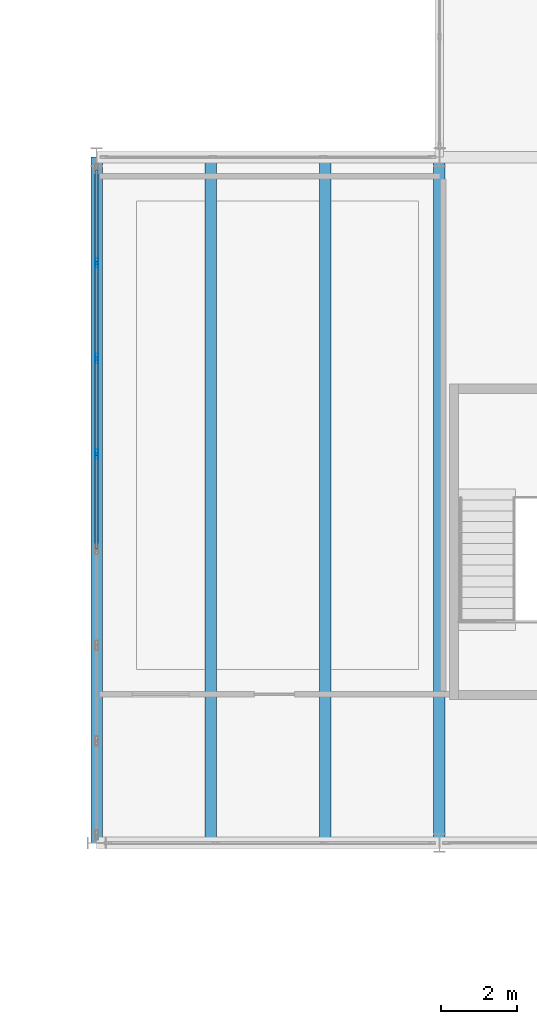
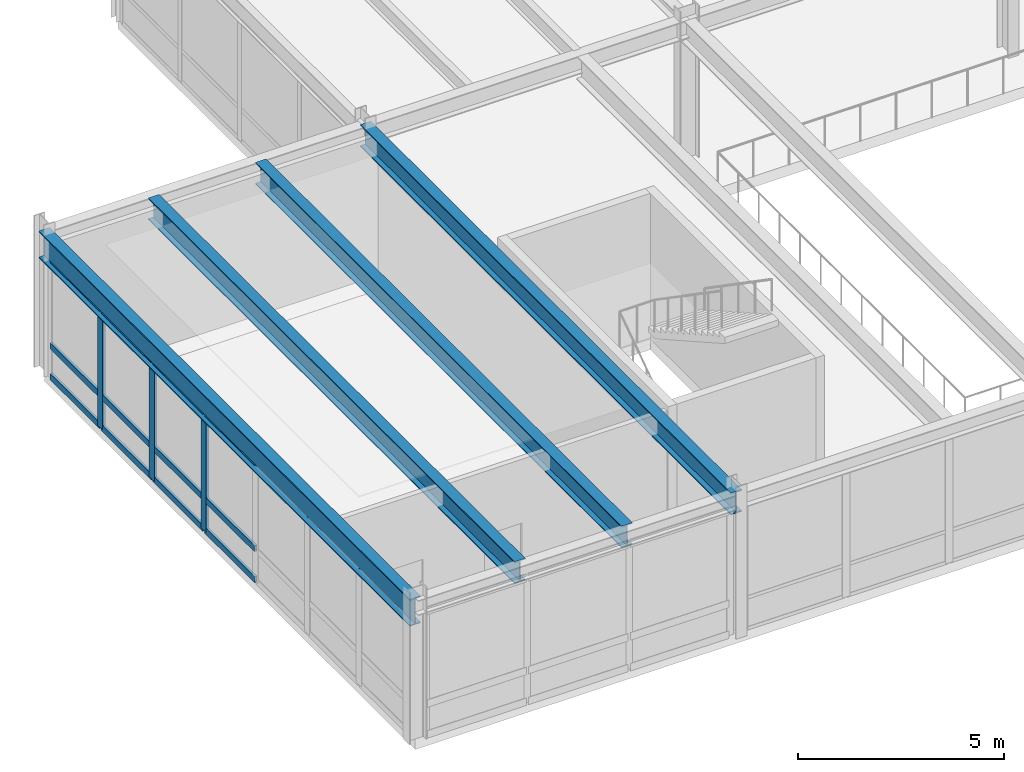
# One storey, part 50 of 127: 15 members, 4 beams, 1 element without a shape of its own.
"""IFC4 building model written with IfcOpenShell, lengths in metres."""

from ifc_helpers import new_model, si_unit, direction, frame, origin, origin_2d, place, context, subcontext, project, spatial, hollow_rectangle, i_section, extrude, material, layer, layer_set, material_profile, profile_set, type_object, element, aggregate, save


model = new_model("IFC4")

# Units and contexts
model_context = context("Model", 3, precision=1e-05, world=origin(), true_north=direction((0.0, 1.0)))
body_context = subcontext(model_context, "Body", "Model", "MODEL_VIEW")
ifc_project = project(units=[si_unit("LENGTHUNIT", "METRE"), si_unit("AREAUNIT", "SQUARE_METRE"), si_unit("VOLUMEUNIT", "CUBIC_METRE"), si_unit("PLANEANGLEUNIT", "RADIAN"), si_unit("MASSUNIT", "GRAM", prefix="KILO")], contexts=[model_context])

# Site, building, storey
site_placement = place(None, origin())
site = spatial("IfcSite", under=ifc_project, at=site_placement, CompositionType="ELEMENT")
building_placement = place(site_placement, origin())
building = spatial("IfcBuilding", under=site, at=building_placement, Name="Montelvaro Courts of Justice", CompositionType="ELEMENT")
storey_placement = place(building_placement, frame((0.0, 0.0, 5.39990234375)))
storey = spatial("IfcBuildingStorey", under=building, at=storey_placement, Name="L01", CompositionType="ELEMENT", Elevation=5.39990234375)

# Beams
ifc_material_1 = material(Name="Steel S355", Category="steel")
ifc_material_profile_1 = material_profile(ifc_material_1, i_section(OverallWidth=0.300048828125, OverallDepth=0.639892578125, WebThickness=0.013427734375, FlangeThickness=0.02587890625, at=origin_2d()), Name="HEA 650")
ifc_profile_set_1 = profile_set([ifc_material_profile_1], Name="Steel S355")
beam_type_1 = type_object("IfcBeamType", Name="Beam_HEA650", PredefinedType="USERDEFINED", material=ifc_profile_set_1)
beam_1_placement = place(storey_placement, frame((24.0, 78.110107421875, 3.860107421875), z_axis=(0.0, 1.0, 0.0), x_axis=(-1.0, 0.0, 0.0)))
element("IfcBeam", 1, at=beam_1_placement, inside=storey, type_object=beam_type_1, Name="Beam B-22 L01", ObjectType="GIRDER", PredefinedType="USERDEFINED", context=body_context, shape_type="SweptSolid", body=[
    extrude(i_section(OverallWidth=0.300048828125, OverallDepth=0.639892578125, WebThickness=0.013427734375, FlangeThickness=0.02587890625, at=origin_2d()), origin(), (0.0, 0.0, 1.0), 17.77978515625),
])
ifc_material_profile_2 = material_profile(ifc_material_1, i_section(OverallWidth=0.300048828125, OverallDepth=0.64990234375, WebThickness=0.01611328125, FlangeThickness=0.031005859375, at=origin_2d()), Name="HEB 650")
ifc_profile_set_2 = profile_set([ifc_material_profile_2], Name="Steel S355")
beam_type_2 = type_object("IfcBeamType", Name="Beam_HEB650", PredefinedType="USERDEFINED", material=ifc_profile_set_2)
beam_2_placement = place(storey_placement, frame((27.0, 78.0, 3.85498046875), z_axis=(0.0, 1.0, 0.0), x_axis=(-1.0, 0.0, 0.0)))
element("IfcBeam", 2, at=beam_2_placement, inside=storey, type_object=beam_type_2, Name="Beam B-27 L01", ObjectType="GIRDER", PredefinedType="USERDEFINED", context=body_context, shape_type="SweptSolid", body=[
    extrude(i_section(OverallWidth=0.300048828125, OverallDepth=0.64990234375, WebThickness=0.01611328125, FlangeThickness=0.031005859375, at=origin_2d()), origin(), (0.0, 0.0, 1.0), 18.0),
])
beam_3_placement = place(storey_placement, frame((21.0, 78.110107421875, 3.85498046875), z_axis=(0.0, 1.0, 0.0), x_axis=(-1.0, 0.0, 0.0)))
element("IfcBeam", 3, at=beam_3_placement, inside=storey, type_object=beam_type_2, Name="Beam B-27 L01", ObjectType="GIRDER", PredefinedType="USERDEFINED", context=body_context, shape_type="SweptSolid", body=[
    extrude(i_section(OverallWidth=0.300048828125, OverallDepth=0.64990234375, WebThickness=0.01611328125, FlangeThickness=0.031005859375, at=origin_2d()), origin(), (0.0, 0.0, 1.0), 17.77978515625),
])
ifc_material_profile_3 = material_profile(ifc_material_1, i_section(OverallWidth=0.300048828125, OverallDepth=0.800048828125, WebThickness=0.017578125, FlangeThickness=0.032958984375, at=origin_2d()), Name="HEB 800")
ifc_profile_set_3 = profile_set([ifc_material_profile_3], Name="Steel S355")
beam_type_3 = type_object("IfcBeamType", Name="Beam_HEB800", PredefinedType="USERDEFINED", material=ifc_profile_set_3)
beam_4_placement = place(storey_placement, frame((18.0, 78.0, 3.780029296875), z_axis=(0.0, 1.0, 0.0), x_axis=(-1.0, 0.0, 0.0)))
element("IfcBeam", 4, at=beam_4_placement, inside=storey, type_object=beam_type_3, Name="Beam B-29 L01", ObjectType="GIRDER", PredefinedType="USERDEFINED", context=body_context, shape_type="SweptSolid", body=[
    extrude(i_section(OverallWidth=0.300048828125, OverallDepth=0.800048828125, WebThickness=0.017578125, FlangeThickness=0.032958984375, at=origin_2d()), origin(), (0.0, 0.0, 1.0), 18.0),
])

# Curtain wall, members
ifc_material_2 = material(Name="Anodised aluminium EN AW-6063", Category="aluminium")
ifc_layer = layer(ifc_material_2, 0.159912109375)
ifc_layer_set = layer_set([ifc_layer], Name="Anodised aluminium EN AW-6063")
curtain_wall_type = type_object("IfcCurtainWallType", Name="CurtainWall_20_1757x418", PredefinedType="USERDEFINED", material=ifc_layer_set)
curtain_wall_placement = place(storey_placement, origin())
curtain_wall = element("IfcCurtainWall", 5, at=curtain_wall_placement, inside=storey, type_object=curtain_wall_type, Name="Curtain Wall CW-20 (L01)", ObjectType="CURTAIN WALL", PredefinedType="USERDEFINED")
ifc_material_profile_4 = material_profile(ifc_material_2, hollow_rectangle(XDim=0.074951171875, YDim=0.25, WallThickness=0.005615234375, at=origin_2d()), Name="ALU-M 75x250")
ifc_profile_set_4 = profile_set([ifc_material_profile_4], Name="Anodised aluminium EN AW-6063")
member_type_1 = type_object("IfcMemberType", Name="CurtainWall_Mullion_75x250", PredefinedType="MULLION", material=ifc_profile_set_4)
member_1_placement = place(storey_placement, frame((18.0, 93.22509765625, 0.0), z_axis=(0.0, 0.0, 1.0), x_axis=(1.0, 0.0, 0.0)))
member_1 = element("IfcMember", 6, at=member_1_placement, type_object=member_type_1, Name="CW-20 mullion 2", PredefinedType="MULLION", context=body_context, shape_type="SweptSolid", body=[
    extrude(hollow_rectangle(XDim=0.074951171875, YDim=0.25, WallThickness=0.005615234375, at=origin_2d()), origin(), (0.0, 0.0, 1.0), 3.375),
])
member_2_placement = place(storey_placement, frame((18.0, 90.715087890625, 0.0), z_axis=(0.0, 0.0, 1.0), x_axis=(1.0, 0.0, 0.0)))
member_2 = element("IfcMember", 7, at=member_2_placement, type_object=member_type_1, Name="CW-20 mullion 3", PredefinedType="MULLION", context=body_context, shape_type="SweptSolid", body=[
    extrude(hollow_rectangle(XDim=0.074951171875, YDim=0.25, WallThickness=0.005615234375, at=origin_2d()), origin(), (0.0, 0.0, 1.0), 3.375),
])
member_3_placement = place(storey_placement, frame((18.0, 88.205078125, 0.0), z_axis=(0.0, 0.0, 1.0), x_axis=(1.0, 0.0, 0.0)))
member_3 = element("IfcMember", 8, at=member_3_placement, type_object=member_type_1, Name="CW-20 mullion 4", PredefinedType="MULLION", context=body_context, shape_type="SweptSolid", body=[
    extrude(hollow_rectangle(XDim=0.074951171875, YDim=0.25, WallThickness=0.005615234375, at=origin_2d()), origin(), (0.0, 0.0, 1.0), 3.375),
])
ifc_material_profile_5 = material_profile(ifc_material_2, hollow_rectangle(XDim=0.074951171875, YDim=0.179931640625, WallThickness=0.0048828125, at=origin_2d()), Name="ALU-T 75x180")
ifc_profile_set_5 = profile_set([ifc_material_profile_5], Name="Anodised aluminium EN AW-6063")
member_type_2 = type_object("IfcMemberType", Name="CurtainWall_Transom_75x180", PredefinedType="USERDEFINED", material=ifc_profile_set_5)
member_4_placement = place(storey_placement, frame((18.0, 95.659912109375, 0.03759765625), z_axis=(0.0, -1.0, 0.0), x_axis=(1.0, 0.0, 0.0)))
member_4 = element("IfcMember", 9, at=member_4_placement, type_object=member_type_2, Name="CW-20 transom 1.1", ObjectType="TRANSOM", PredefinedType="USERDEFINED", context=body_context, shape_type="SweptSolid", body=[
    extrude(hollow_rectangle(XDim=0.074951171875, YDim=0.179931640625, WallThickness=0.0048828125, at=origin_2d()), origin(), (0.0, 0.0, 1.0), 2.3974609375),
])
member_5_placement = place(storey_placement, frame((18.0, 95.659912109375, 0.9501953125), z_axis=(0.0, -1.0, 0.0), x_axis=(1.0, 0.0, 0.0)))
member_5 = element("IfcMember", 10, at=member_5_placement, type_object=member_type_2, Name="CW-20 transom 1.2", ObjectType="TRANSOM", PredefinedType="USERDEFINED", context=body_context, shape_type="SweptSolid", body=[
    extrude(hollow_rectangle(XDim=0.074951171875, YDim=0.179931640625, WallThickness=0.0048828125, at=origin_2d()), origin(), (0.0, 0.0, 1.0), 2.3974609375),
])
member_6_placement = place(storey_placement, frame((18.0, 95.659912109375, 3.337646484375), z_axis=(0.0, -1.0, 0.0), x_axis=(1.0, 0.0, 0.0)))
member_6 = element("IfcMember", 11, at=member_6_placement, type_object=member_type_2, Name="CW-20 transom 1.3", ObjectType="TRANSOM", PredefinedType="USERDEFINED", context=body_context, shape_type="SweptSolid", body=[
    extrude(hollow_rectangle(XDim=0.074951171875, YDim=0.179931640625, WallThickness=0.0048828125, at=origin_2d()), origin(), (0.0, 0.0, 1.0), 2.3974609375),
])
member_7_placement = place(storey_placement, frame((18.0, 93.1875, 0.03759765625), z_axis=(0.0, -1.0, 0.0), x_axis=(1.0, 0.0, 0.0)))
member_7 = element("IfcMember", 12, at=member_7_placement, type_object=member_type_2, Name="CW-20 transom 2.1", ObjectType="TRANSOM", PredefinedType="USERDEFINED", context=body_context, shape_type="SweptSolid", body=[
    extrude(hollow_rectangle(XDim=0.074951171875, YDim=0.179931640625, WallThickness=0.0048828125, at=origin_2d()), origin(), (0.0, 0.0, 1.0), 2.43505859375),
])
member_8_placement = place(storey_placement, frame((18.0, 93.1875, 0.9501953125), z_axis=(0.0, -1.0, 0.0), x_axis=(1.0, 0.0, 0.0)))
member_8 = element("IfcMember", 13, at=member_8_placement, type_object=member_type_2, Name="CW-20 transom 2.2", ObjectType="TRANSOM", PredefinedType="USERDEFINED", context=body_context, shape_type="SweptSolid", body=[
    extrude(hollow_rectangle(XDim=0.074951171875, YDim=0.179931640625, WallThickness=0.0048828125, at=origin_2d()), origin(), (0.0, 0.0, 1.0), 2.43505859375),
])
member_9_placement = place(storey_placement, frame((18.0, 93.1875, 3.337646484375), z_axis=(0.0, -1.0, 0.0), x_axis=(1.0, 0.0, 0.0)))
member_9 = element("IfcMember", 14, at=member_9_placement, type_object=member_type_2, Name="CW-20 transom 2.3", ObjectType="TRANSOM", PredefinedType="USERDEFINED", context=body_context, shape_type="SweptSolid", body=[
    extrude(hollow_rectangle(XDim=0.074951171875, YDim=0.179931640625, WallThickness=0.0048828125, at=origin_2d()), origin(), (0.0, 0.0, 1.0), 2.43505859375),
])
member_10_placement = place(storey_placement, frame((18.0, 90.677490234375, 0.03759765625), z_axis=(0.0, -1.0, 0.0), x_axis=(1.0, 0.0, 0.0)))
member_10 = element("IfcMember", 15, at=member_10_placement, type_object=member_type_2, Name="CW-20 transom 3.1", ObjectType="TRANSOM", PredefinedType="USERDEFINED", context=body_context, shape_type="SweptSolid", body=[
    extrude(hollow_rectangle(XDim=0.074951171875, YDim=0.179931640625, WallThickness=0.0048828125, at=origin_2d()), origin(), (0.0, 0.0, 1.0), 2.43505859375),
])
member_11_placement = place(storey_placement, frame((18.0, 90.677490234375, 0.9501953125), z_axis=(0.0, -1.0, 0.0), x_axis=(1.0, 0.0, 0.0)))
member_11 = element("IfcMember", 16, at=member_11_placement, type_object=member_type_2, Name="CW-20 transom 3.2", ObjectType="TRANSOM", PredefinedType="USERDEFINED", context=body_context, shape_type="SweptSolid", body=[
    extrude(hollow_rectangle(XDim=0.074951171875, YDim=0.179931640625, WallThickness=0.0048828125, at=origin_2d()), origin(), (0.0, 0.0, 1.0), 2.43505859375),
])
member_12_placement = place(storey_placement, frame((18.0, 90.677490234375, 3.337646484375), z_axis=(0.0, -1.0, 0.0), x_axis=(1.0, 0.0, 0.0)))
member_12 = element("IfcMember", 17, at=member_12_placement, type_object=member_type_2, Name="CW-20 transom 3.3", ObjectType="TRANSOM", PredefinedType="USERDEFINED", context=body_context, shape_type="SweptSolid", body=[
    extrude(hollow_rectangle(XDim=0.074951171875, YDim=0.179931640625, WallThickness=0.0048828125, at=origin_2d()), origin(), (0.0, 0.0, 1.0), 2.43505859375),
])
member_13_placement = place(storey_placement, frame((18.0, 88.16748046875, 0.03759765625), z_axis=(0.0, -1.0, 0.0), x_axis=(1.0, 0.0, 0.0)))
member_13 = element("IfcMember", 18, at=member_13_placement, type_object=member_type_2, Name="CW-20 transom 4.1", ObjectType="TRANSOM", PredefinedType="USERDEFINED", context=body_context, shape_type="SweptSolid", body=[
    extrude(hollow_rectangle(XDim=0.074951171875, YDim=0.179931640625, WallThickness=0.0048828125, at=origin_2d()), origin(), (0.0, 0.0, 1.0), 2.43505859375),
])
member_14_placement = place(storey_placement, frame((18.0, 88.16748046875, 0.9501953125), z_axis=(0.0, -1.0, 0.0), x_axis=(1.0, 0.0, 0.0)))
member_14 = element("IfcMember", 19, at=member_14_placement, type_object=member_type_2, Name="CW-20 transom 4.2", ObjectType="TRANSOM", PredefinedType="USERDEFINED", context=body_context, shape_type="SweptSolid", body=[
    extrude(hollow_rectangle(XDim=0.074951171875, YDim=0.179931640625, WallThickness=0.0048828125, at=origin_2d()), origin(), (0.0, 0.0, 1.0), 2.43505859375),
])
member_15_placement = place(storey_placement, frame((18.0, 88.16748046875, 3.337646484375), z_axis=(0.0, -1.0, 0.0), x_axis=(1.0, 0.0, 0.0)))
member_15 = element("IfcMember", 20, at=member_15_placement, type_object=member_type_2, Name="CW-20 transom 4.3", ObjectType="TRANSOM", PredefinedType="USERDEFINED", context=body_context, shape_type="SweptSolid", body=[
    extrude(hollow_rectangle(XDim=0.074951171875, YDim=0.179931640625, WallThickness=0.0048828125, at=origin_2d()), origin(), (0.0, 0.0, 1.0), 2.43505859375),
])
aggregate(curtain_wall, [member_1, member_2, member_3, member_4, member_5, member_6, member_7, member_8, member_9, member_10, member_11, member_12, member_13, member_14, member_15])

save(model, "model.ifc")
